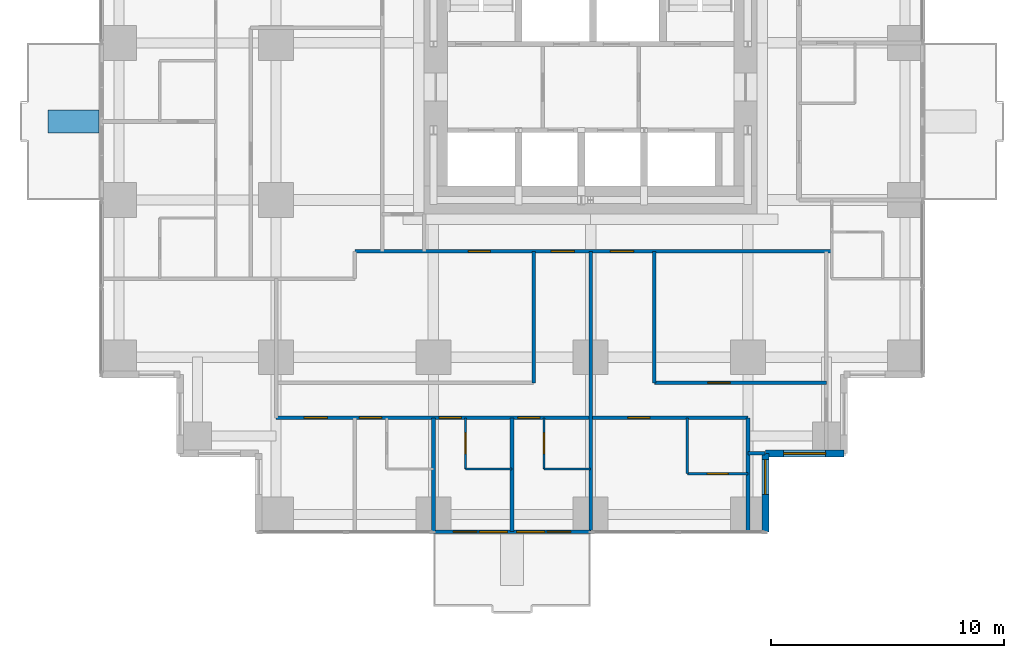
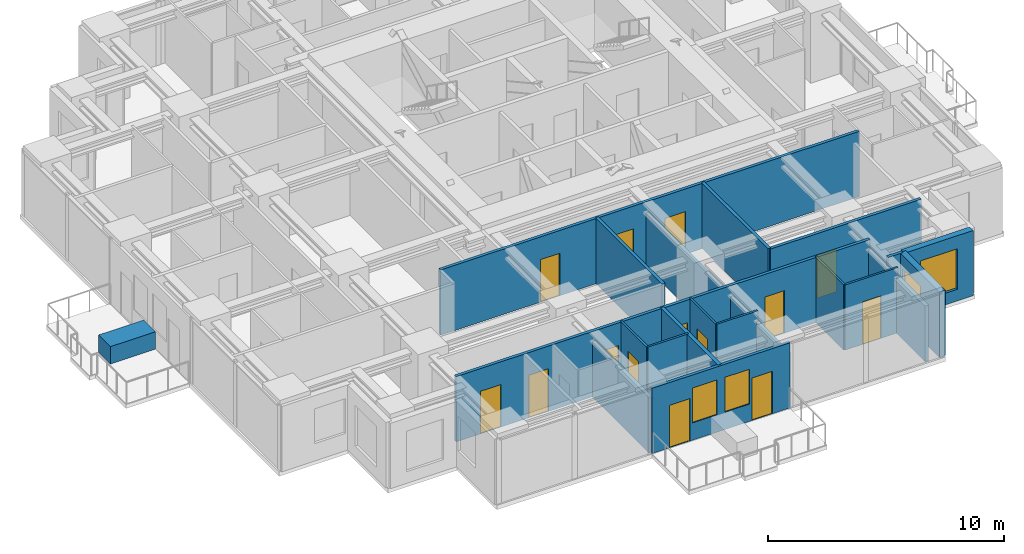
# One storey, part 5 of 10: 20 walls, 14 doors, 4 windows, 18 openings.
"""IFC4 building model written with IfcOpenShell, lengths in metres."""

import ifcopenshell
import ifcopenshell.guid

model = None  # the IFC model being written
_history = None  # IfcOwnerHistory: only IFC2X3 demands one
_inside = {}  # id of a spatial element -> (the spatial element, [elements in it])
_under = {}  # id of a project, library or spatial element -> (it, [spatial elements below it])
_declared = {}  # id of a project -> (the project, [libraries it declares])
_typed = {}  # id of a type object -> (the type object, [elements of that type])
_made_of = {}  # id of a material, layer set ... -> (it, [elements and type objects made of it])


def new_model(schema):
    """Start an empty IFC model of exactly this schema.

    Asked for "IFC4X3", IfcOpenShell would pick the latest addendum, in which some entities
    have other attributes; the version numbers below select the first issue.
    IFC2X3 requires an IfcOwnerHistory on every rooted entity: one is made here for all.
    """
    global model, _history
    if schema == "IFC4X3":
        model = ifcopenshell.file(schema_version=(4, 3, 0, 0))
    else:
        model = ifcopenshell.file(schema=schema)
    _inside.clear()
    _under.clear()
    _declared.clear()
    _typed.clear()
    _made_of.clear()
    _history = None
    if model.schema == "IFC2X3":
        org = make("IfcOrganization", Name="unknown")
        user = make(
            "IfcPersonAndOrganization",
            ThePerson=make("IfcPerson", FamilyName="unknown"),
            TheOrganization=org,
        )
        app = make(
            "IfcApplication",
            ApplicationDeveloper=org,
            Version="unknown",
            ApplicationFullName="unknown",
            ApplicationIdentifier="unknown",
        )
        _history = make(
            "IfcOwnerHistory",
            OwningUser=user,
            OwningApplication=app,
            ChangeAction="ADDED",
            CreationDate=0,
        )
    return model


def make(cls, **values):
    """One entity of the class cls with the attributes given. An attribute that is None is left unset."""
    return model.create_entity(
        cls, **{name: value for name, value in values.items() if value is not None}
    )


def rooted(cls, **values):
    """An entity with a GlobalId (a new one), such as an element, a storey or a relation."""
    return make(cls, GlobalId=ifcopenshell.guid.new(), OwnerHistory=_history, **values)


def si_unit(unit_type, name, prefix=None):
    """IfcSIUnit, for example si_unit("LENGTHUNIT", "METRE", prefix="MILLI")."""
    return make("IfcSIUnit", UnitType=unit_type, Prefix=prefix, Name=name)


def assignment(units):
    """IfcUnitAssignment: the units of a project."""
    return None if units is None else make("IfcUnitAssignment", Units=units)


def point(xyz):
    """IfcCartesianPoint."""
    return None if xyz is None else make("IfcCartesianPoint", Coordinates=xyz)


def direction(xyz):
    """IfcDirection."""
    return None if xyz is None else make("IfcDirection", DirectionRatios=xyz)


def frame(location, z_axis=None, x_axis=None):
    """IfcAxis2Placement3D, a coordinate frame: its origin and axes. An axis left out is left unset."""
    return make(
        "IfcAxis2Placement3D",
        Location=point(location),
        Axis=direction(z_axis),
        RefDirection=direction(x_axis),
    )


def frame_2d(location, x_axis=None):
    """IfcAxis2Placement2D, a coordinate frame in the plane: its origin and x axis."""
    return make(
        "IfcAxis2Placement2D", Location=point(location), RefDirection=direction(x_axis)
    )


def origin():
    """The frame at (0, 0, 0) with its axes left unset."""
    return frame((0.0, 0.0, 0.0))


def place(relative_to, where):
    """IfcLocalPlacement: puts the frame where relative to a parent placement (None: the world)."""
    return make(
        "IfcLocalPlacement", PlacementRelTo=relative_to, RelativePlacement=where
    )


def context(
    kind, dimensions, precision=None, world=None, true_north=None, identifier=None
):
    """IfcGeometricRepresentationContext, for example the 3D "Model" context."""
    return make(
        "IfcGeometricRepresentationContext",
        ContextIdentifier=identifier,
        ContextType=kind,
        CoordinateSpaceDimension=dimensions,
        Precision=precision,
        WorldCoordinateSystem=world,
        TrueNorth=true_north,
    )


def subcontext(parent, identifier, kind, view, scale=None):
    """IfcGeometricRepresentationSubContext, for example "Body" below "Model"."""
    return make(
        "IfcGeometricRepresentationSubContext",
        ContextIdentifier=identifier,
        ContextType=kind,
        ParentContext=parent,
        TargetScale=scale,
        TargetView=view,
    )


def project(units=None, contexts=None):
    """IfcProject with its units and contexts."""
    return rooted(
        "IfcProject",
        Name="project",
        RepresentationContexts=contexts,
        UnitsInContext=assignment(units),
    )


def spatial(cls, under=None, at=None, **own):
    """A site, building, storey or space (cls), placed at a placement, below another one or the project."""
    s = rooted(cls, ObjectPlacement=at, **own)
    if under is not None:
        _under.setdefault(under.id(), (under, []))[1].append(s)
    return s


def profile(cls, at=None, kind="AREA", **sizes):
    """A parametric profile (cls). Its sizes go by their IFC names, for example OverallWidth=200.0."""
    return make(cls, ProfileType=kind, Position=at, **sizes)


def rectangle(**sizes):
    """IfcRectangleProfileDef."""
    return profile("IfcRectangleProfileDef", **sizes)


def extrude(swept, where, along, depth):
    """IfcExtrudedAreaSolid: the profile swept, set in the frame where, extruded along a direction by depth."""
    return make(
        "IfcExtrudedAreaSolid",
        SweptArea=swept,
        Position=where,
        ExtrudedDirection=direction(along),
        Depth=depth,
    )


def shape(context_of_items, identifier, shape_type, items):
    """IfcShapeRepresentation: the items that make up one representation, for example the "Body"."""
    return make(
        "IfcShapeRepresentation",
        ContextOfItems=context_of_items,
        RepresentationIdentifier=identifier,
        RepresentationType=shape_type,
        Items=items,
    )


def material(Name=None, Category=None):
    """IfcMaterial."""
    return make("IfcMaterial", Name=Name, Category=Category)


def layer(
    of_material, thickness, ventilated=None, Name=None, Category=None, Priority=None
):
    """IfcMaterialLayer: one layer of a wall or slab, of a material (None: an air gap)."""
    return make(
        "IfcMaterialLayer",
        Material=of_material,
        LayerThickness=thickness,
        IsVentilated=ventilated,
        Name=Name,
        Category=Category,
        Priority=Priority,
    )


def layer_set(layers, Name=None):
    """IfcMaterialLayerSet."""
    return make("IfcMaterialLayerSet", MaterialLayers=layers, LayerSetName=Name)


def made_of(thing, what):
    """Note that an element or type object is made of a material, layer set ...; save() writes the relation."""
    if what is not None:
        _made_of.setdefault(what.id(), (what, []))[1].append(thing)
    return thing


def type_object(cls, material=None, **own):
    """A type object (cls), such as IfcWallType, which elements share."""
    return made_of(rooted(cls, **own), material)


def element(
    cls,
    number,
    at=None,
    inside=None,
    cuts=None,
    type_object=None,
    material=None,
    context=None,
    identifier="Body",
    shape_type=None,
    held_by="IfcProductDefinitionShape",
    body=None,
    shapes=None,
    **own,
):
    """One element of the class cls, such as IfcWall. Its Tag is "e" and its number.

    at: its placement. inside: the storey or other place that contains it. cuts: it is an
    opening in that element (IfcRelVoidsElement). A single representation is given by context,
    identifier, shape_type and body (its items); several are given by shapes. held_by: the class
    of the entity that holds the representations. save() writes the other relations.
    """
    e = rooted(cls, Tag="e%d" % number, ObjectPlacement=at, **own)
    if body is not None:
        shapes = [shape(context, identifier, shape_type, body)]
    if shapes is not None:
        e.Representation = make(held_by, Representations=shapes)
    if inside is not None:
        _inside.setdefault(inside.id(), (inside, []))[1].append(e)
    if cuts is not None:
        rooted(
            "IfcRelVoidsElement", RelatingBuildingElement=cuts, RelatedOpeningElement=e
        )
    if type_object is not None:
        _typed.setdefault(type_object.id(), (type_object, []))[1].append(e)
    return made_of(e, material)


def fill(opening, filler):
    """IfcRelFillsElement: the door or window that sits in an opening."""
    return rooted(
        "IfcRelFillsElement",
        RelatingOpeningElement=opening,
        RelatedBuildingElement=filler,
    )


def aggregate(whole, parts):
    """IfcRelAggregates: a whole, such as a stair, and the parts it consists of."""
    return rooted("IfcRelAggregates", RelatingObject=whole, RelatedObjects=parts)


def save(model, path):
    """Write the relations noted so far, then the file.

    IfcRelAggregates (storeys below a building ...), IfcRelContainedInSpatialStructure (elements
    in a storey), IfcRelDefinesByType, IfcRelAssociatesMaterial and IfcRelDeclares: one each for
    every whole, place, type object, material and project.
    """
    for whole, parts in _under.values():
        aggregate(whole, parts)
    for where, things in _inside.values():
        rooted(
            "IfcRelContainedInSpatialStructure",
            RelatedElements=things,
            RelatingStructure=where,
        )
    for kind, things in _typed.values():
        rooted("IfcRelDefinesByType", RelatedObjects=things, RelatingType=kind)
    for what, things in _made_of.values():
        rooted("IfcRelAssociatesMaterial", RelatedObjects=things, RelatingMaterial=what)
    for by, libraries in _declared.values():
        rooted("IfcRelDeclares", RelatingContext=by, RelatedDefinitions=libraries)
    model.write(path)


model = new_model("IFC4")

# Units and contexts
model_context = context("Model", 3, precision=1e-05, world=origin(), true_north=direction((0.0, 1.0)))
body_context = subcontext(model_context, "Body", "Model", "MODEL_VIEW")
ifc_project = project(units=[si_unit("LENGTHUNIT", "METRE"), si_unit("AREAUNIT", "SQUARE_METRE"), si_unit("VOLUMEUNIT", "CUBIC_METRE"), si_unit("PLANEANGLEUNIT", "RADIAN"), si_unit("MASSUNIT", "GRAM", prefix="KILO")], contexts=[model_context])

# Site, building, storey
site_placement = place(None, origin())
site = spatial("IfcSite", under=ifc_project, at=site_placement, CompositionType="ELEMENT")
building_placement = place(site_placement, origin())
building = spatial("IfcBuilding", under=site, at=building_placement, Name="Nyansa Garden Tower", CompositionType="ELEMENT")
storey_placement = place(building_placement, frame((0.0, 0.0, 149.39990234375)))
storey = spatial("IfcBuildingStorey", under=building, at=storey_placement, Name="L40", CompositionType="ELEMENT", Elevation=149.39990234375)

# Walls
ifc_material_1 = material(Name="Dense blockwork, plastered both sides, 55 dB", Category="masonry")
ifc_layer_1 = layer(ifc_material_1, 0.175048828125)
ifc_layer_set_1 = layer_set([ifc_layer_1], Name="Acoustic party wall PW175")
wall_type_1 = type_object("IfcWallType", Name="Acoustic party wall PW175", PredefinedType="PARTITIONING", material=ifc_layer_set_1)
wall_1_placement = place(storey_placement, frame((13.5, -0.73388671875, 0.0), z_axis=(0.0, 0.0, 1.0), x_axis=(0.0, 1.0, 0.0)))
element("IfcWall", 1, at=wall_1_placement, inside=storey, type_object=wall_type_1, Name="Party wall", PredefinedType="PARTITIONING", context=body_context, shape_type="SweptSolid", body=[
    extrude(rectangle(XDim=4.8837890625, YDim=0.175048828125, at=frame_2d((2.44189453125, 0.0))), origin(), (0.0, 0.0, 1.0), 2.877197265625),
])
wall_2_placement = place(storey_placement, frame((16.875, -0.73388671875, 0.0), z_axis=(0.0, 0.0, 1.0), x_axis=(0.0, 1.0, 0.0)))
element("IfcWall", 2, at=wall_2_placement, inside=storey, type_object=wall_type_1, Name="Party wall", PredefinedType="PARTITIONING", context=body_context, shape_type="SweptSolid", body=[
    extrude(rectangle(XDim=4.8837890625, YDim=0.175048828125, at=frame_2d((2.44189453125, 0.0))), origin(), (0.0, 0.0, 1.0), 3.375),
])
wall_3_placement = place(storey_placement, frame((27.0, -0.73388671875, 0.0), z_axis=(0.0, 0.0, 1.0), x_axis=(0.0, 1.0, 0.0)))
element("IfcWall", 3, at=wall_3_placement, inside=storey, type_object=wall_type_1, Name="Party wall", PredefinedType="PARTITIONING", context=body_context, shape_type="SweptSolid", body=[
    extrude(rectangle(XDim=4.8837890625, YDim=0.175048828125, at=frame_2d((2.44189453125, 0.0))), origin(), (0.0, 0.0, 1.0), 2.877197265625),
])

# Wall, openings, doors, windows
ifc_material_2 = material(Name="Black aluminium framed glazed screen", Category="aluminium")
ifc_layer_2 = layer(ifc_material_2, 0.14990234375)
ifc_layer_set_2 = layer_set([ifc_layer_2], Name="Balcony screen wall BW150")
wall_type_2 = type_object("IfcWallType", Name="Balcony screen wall BW150", PredefinedType="SOLIDWALL", material=ifc_layer_set_2)
wall_4_placement = place(storey_placement, frame((20.25, -0.75, 0.0), z_axis=(0.0, 0.0, 1.0), x_axis=(-1.0, 0.0, 0.0)))
wall_4 = element("IfcWall", 4, at=wall_4_placement, inside=storey, type_object=wall_type_2, Name="Glazed screen wall L40 S", PredefinedType="SOLIDWALL", context=body_context, shape_type="SweptSolid", body=[
    extrude(rectangle(XDim=6.75, YDim=0.14990234375, at=frame_2d((3.375, 0.0))), origin(), (0.0, 0.0, 1.0), 3.375),
])
opening_1_placement = place(wall_4_placement, frame((0.862548828125, 0.0, 0.0)))
opening_1 = element("IfcOpeningElement", 5, at=opening_1_placement, cuts=wall_4, Name="Opening D20", PredefinedType="OPENING", context=body_context, shape_type="SweptSolid", body=[
    extrude(rectangle(XDim=1.0, YDim=2.199951171875, at=frame_2d((0.5, 1.10009765625))), frame((0.0, 0.0849609375, 0.0), z_axis=(0.0, -1.0, 0.0), x_axis=(1.0, 0.0, 0.0)), (0.0, 0.0, 1.0), 0.169921875),
])
opening_2_placement = place(wall_4_placement, frame((1.97509765625, 0.0, 0.89990234375)))
opening_2 = element("IfcOpeningElement", 6, at=opening_2_placement, cuts=wall_4, Name="Opening W6", PredefinedType="OPENING", context=body_context, shape_type="SweptSolid", body=[
    extrude(rectangle(XDim=1.199951171875, YDim=1.800048828125, at=frame_2d((0.60009765625, 0.89990234375))), frame((0.0, 0.0849609375, 0.0), z_axis=(0.0, -1.0, 0.0), x_axis=(1.0, 0.0, 0.0)), (0.0, 0.0, 1.0), 0.169921875),
])
opening_3_placement = place(wall_4_placement, frame((4.887451171875, 0.0, 0.0)))
opening_3 = element("IfcOpeningElement", 7, at=opening_3_placement, cuts=wall_4, Name="Opening D20", PredefinedType="OPENING", context=body_context, shape_type="SweptSolid", body=[
    extrude(rectangle(XDim=1.0, YDim=2.199951171875, at=frame_2d((0.5, 1.10009765625))), frame((0.0, 0.0849609375, 0.0), z_axis=(0.0, -1.0, 0.0), x_axis=(1.0, 0.0, 0.0)), (0.0, 0.0, 1.0), 0.169921875),
])
opening_4_placement = place(wall_4_placement, frame((3.574951171875, 0.0, 0.89990234375)))
opening_4 = element("IfcOpeningElement", 8, at=opening_4_placement, cuts=wall_4, Name="Opening W6", PredefinedType="OPENING", context=body_context, shape_type="SweptSolid", body=[
    extrude(rectangle(XDim=1.199951171875, YDim=1.800048828125, at=frame_2d((0.60009765625, 0.89990234375))), frame((0.0, 0.0849609375, 0.0), z_axis=(0.0, -1.0, 0.0), x_axis=(1.0, 0.0, 0.0)), (0.0, 0.0, 1.0), 0.169921875),
])
ifc_material_3 = material(Name="Black aluminium framed glazed door", Category="aluminium")
door_type_1 = type_object("IfcDoorType", Name="Balcony door D20 1000x2200", OperationType="NOTDEFINED", PredefinedType="DOOR", material=ifc_material_3)
door_1_placement = place(opening_1_placement, origin())
door_1 = element("IfcDoor", 9, at=door_1_placement, inside=storey, type_object=door_type_1, Name="Balcony door L40", OperationType="SINGLE_SWING_LEFT", OverallHeight=2.199951171875, OverallWidth=1.0, PredefinedType="DOOR", context=body_context, shape_type="SweptSolid", body=[
    extrude(rectangle(XDim=1.0, YDim=2.199951171875, at=frame_2d((0.5, 1.10009765625))), frame((0.0, 0.02490234375, 0.0), z_axis=(0.0, -1.0, 0.0), x_axis=(1.0, 0.0, 0.0)), (0.0, 0.0, 1.0), 0.050048828125),
])
fill(opening_1, door_1)
door_2_placement = place(opening_3_placement, origin())
door_2 = element("IfcDoor", 10, at=door_2_placement, inside=storey, type_object=door_type_1, Name="Balcony door L40", OperationType="SINGLE_SWING_RIGHT", OverallHeight=2.199951171875, OverallWidth=1.0, PredefinedType="DOOR", context=body_context, shape_type="SweptSolid", body=[
    extrude(rectangle(XDim=1.0, YDim=2.199951171875, at=frame_2d((0.5, 1.10009765625))), frame((0.0, 0.02490234375, 0.0), z_axis=(0.0, -1.0, 0.0), x_axis=(1.0, 0.0, 0.0)), (0.0, 0.0, 1.0), 0.050048828125),
])
fill(opening_3, door_2)
ifc_material_4 = material(Name="Black aluminium frame, dark tinted double glazing", Category="aluminium")
window_type_1 = type_object("IfcWindowType", Name="Balcony window W6 1200x1800", PartitioningType="SINGLE_PANEL", PredefinedType="WINDOW", material=ifc_material_4)
window_1_placement = place(opening_2_placement, origin())
window_1 = element("IfcWindow", 11, at=window_1_placement, inside=storey, type_object=window_type_1, Name="Window L40", OverallHeight=1.800048828125, OverallWidth=1.199951171875, PartitioningType="SINGLE_PANEL", PredefinedType="WINDOW", context=body_context, shape_type="SweptSolid", body=[
    extrude(rectangle(XDim=1.199951171875, YDim=1.800048828125, at=frame_2d((0.60009765625, 0.89990234375))), frame((0.0, 0.030029296875, 0.0), z_axis=(0.0, -1.0, 0.0), x_axis=(1.0, 0.0, 0.0)), (0.0, 0.0, 1.0), 0.06005859375),
])
fill(opening_2, window_1)
window_2_placement = place(opening_4_placement, origin())
window_2 = element("IfcWindow", 12, at=window_2_placement, inside=storey, type_object=window_type_1, Name="Window L40", OverallHeight=1.800048828125, OverallWidth=1.199951171875, PartitioningType="SINGLE_PANEL", PredefinedType="WINDOW", context=body_context, shape_type="SweptSolid", body=[
    extrude(rectangle(XDim=1.199951171875, YDim=1.800048828125, at=frame_2d((0.60009765625, 0.89990234375))), frame((0.0, 0.030029296875, 0.0), z_axis=(0.0, -1.0, 0.0), x_axis=(1.0, 0.0, 0.0)), (0.0, 0.0, 1.0), 0.06005859375),
])
fill(opening_4, window_2)

# Wall, openings, doors
ifc_material_5 = material(Name="Blockwork, plastered both sides", Category="masonry")
ifc_layer_3 = layer(ifc_material_5, 0.14990234375)
ifc_layer_set_3 = layer_set([ifc_layer_3], Name="Partition PW150")
wall_type_3 = type_object("IfcWallType", Name="Partition PW150", PredefinedType="PARTITIONING", material=ifc_layer_set_3)
wall_5_placement = place(storey_placement, frame((6.75, 4.14990234375, 0.0), z_axis=(0.0, 0.0, 1.0), x_axis=(1.0, 0.0, 0.0)))
wall_5 = element("IfcWall", 13, at=wall_5_placement, inside=storey, type_object=wall_type_3, Name="Partition", PredefinedType="PARTITIONING", context=body_context, shape_type="SweptSolid", body=[
    extrude(rectangle(XDim=20.25, YDim=0.14990234375, at=frame_2d((10.125, 0.0))), origin(), (0.0, 0.0, 1.0), 3.375),
])
opening_5_placement = place(wall_5_placement, frame((1.199951171875, 0.0, 0.0)))
opening_5 = element("IfcOpeningElement", 14, at=opening_5_placement, cuts=wall_5, Name="Opening D03", PredefinedType="OPENING", context=body_context, shape_type="SweptSolid", body=[
    extrude(rectangle(XDim=1.0, YDim=2.199951171875, at=frame_2d((0.5, 1.10009765625))), frame((0.0, 0.0849609375, 0.0), z_axis=(0.0, -1.0, 0.0), x_axis=(1.0, 0.0, 0.0)), (0.0, 0.0, 1.0), 0.169921875),
])
opening_6_placement = place(wall_5_placement, frame((3.574951171875, 0.0, 0.0)))
opening_6 = element("IfcOpeningElement", 15, at=opening_6_placement, cuts=wall_5, Name="Opening D01", PredefinedType="OPENING", context=body_context, shape_type="SweptSolid", body=[
    extrude(rectangle(XDim=0.949951171875, YDim=2.199951171875, at=frame_2d((0.47509765625, 1.10009765625))), frame((0.0, 0.0849609375, 0.0), z_axis=(0.0, -1.0, 0.0), x_axis=(1.0, 0.0, 0.0)), (0.0, 0.0, 1.0), 0.169921875),
])
opening_7_placement = place(wall_5_placement, frame((7.0, 0.0, 0.0)))
opening_7 = element("IfcOpeningElement", 16, at=opening_7_placement, cuts=wall_5, Name="Opening D01", PredefinedType="OPENING", context=body_context, shape_type="SweptSolid", body=[
    extrude(rectangle(XDim=0.949951171875, YDim=2.199951171875, at=frame_2d((0.47509765625, 1.10009765625))), frame((0.0, 0.0849609375, 0.0), z_axis=(0.0, -1.0, 0.0), x_axis=(1.0, 0.0, 0.0)), (0.0, 0.0, 1.0), 0.169921875),
])
opening_8_placement = place(wall_5_placement, frame((10.375, 0.0, 0.0)))
opening_8 = element("IfcOpeningElement", 17, at=opening_8_placement, cuts=wall_5, Name="Opening D01", PredefinedType="OPENING", context=body_context, shape_type="SweptSolid", body=[
    extrude(rectangle(XDim=0.949951171875, YDim=2.199951171875, at=frame_2d((0.47509765625, 1.10009765625))), frame((0.0, 0.0849609375, 0.0), z_axis=(0.0, -1.0, 0.0), x_axis=(1.0, 0.0, 0.0)), (0.0, 0.0, 1.0), 0.169921875),
])
opening_9_placement = place(wall_5_placement, frame((15.10009765625, 0.0, 0.0)))
opening_9 = element("IfcOpeningElement", 18, at=opening_9_placement, cuts=wall_5, Name="Opening D14", PredefinedType="OPENING", context=body_context, shape_type="SweptSolid", body=[
    extrude(rectangle(XDim=0.949951171875, YDim=2.199951171875, at=frame_2d((0.47509765625, 1.10009765625))), frame((0.0, 0.0849609375, 0.0), z_axis=(0.0, -1.0, 0.0), x_axis=(1.0, 0.0, 0.0)), (0.0, 0.0, 1.0), 0.169921875),
])
ifc_material_6 = material(Name="Timber flush door, 30 minute fire resisting", Category="wood")
door_type_2 = type_object("IfcDoorType", Name="Bedroom door D01 950x2200", OperationType="SINGLE_SWING_LEFT", PredefinedType="DOOR", material=ifc_material_6)
door_3_placement = place(opening_6_placement, origin())
door_3 = element("IfcDoor", 19, at=door_3_placement, inside=storey, type_object=door_type_2, Name="Door L40-019", OperationType="SINGLE_SWING_LEFT", OverallHeight=2.199951171875, OverallWidth=0.949951171875, PredefinedType="DOOR", context=body_context, shape_type="SweptSolid", body=[
    extrude(rectangle(XDim=0.949951171875, YDim=2.199951171875, at=frame_2d((0.47509765625, 1.10009765625))), frame((0.0, 0.02490234375, 0.0), z_axis=(0.0, -1.0, 0.0), x_axis=(1.0, 0.0, 0.0)), (0.0, 0.0, 1.0), 0.050048828125),
])
fill(opening_6, door_3)
door_4_placement = place(opening_7_placement, origin())
door_4 = element("IfcDoor", 20, at=door_4_placement, inside=storey, type_object=door_type_2, Name="Door L40-021", OperationType="SINGLE_SWING_LEFT", OverallHeight=2.199951171875, OverallWidth=0.949951171875, PredefinedType="DOOR", context=body_context, shape_type="SweptSolid", body=[
    extrude(rectangle(XDim=0.949951171875, YDim=2.199951171875, at=frame_2d((0.47509765625, 1.10009765625))), frame((0.0, 0.02490234375, 0.0), z_axis=(0.0, -1.0, 0.0), x_axis=(1.0, 0.0, 0.0)), (0.0, 0.0, 1.0), 0.050048828125),
])
fill(opening_7, door_4)
door_5_placement = place(opening_8_placement, origin())
door_5 = element("IfcDoor", 21, at=door_5_placement, inside=storey, type_object=door_type_2, Name="Door L40-023", OperationType="SINGLE_SWING_LEFT", OverallHeight=2.199951171875, OverallWidth=0.949951171875, PredefinedType="DOOR", context=body_context, shape_type="SweptSolid", body=[
    extrude(rectangle(XDim=0.949951171875, YDim=2.199951171875, at=frame_2d((0.47509765625, 1.10009765625))), frame((0.0, 0.02490234375, 0.0), z_axis=(0.0, -1.0, 0.0), x_axis=(1.0, 0.0, 0.0)), (0.0, 0.0, 1.0), 0.050048828125),
])
fill(opening_8, door_5)
ifc_material_7 = material(Name="Timber flush door, 60 minute fire resisting", Category="wood")
door_type_3 = type_object("IfcDoorType", Name="Cluster entrance door D03 1000x2200", OperationType="SINGLE_SWING_LEFT", PredefinedType="DOOR", material=ifc_material_7)
door_6_placement = place(opening_5_placement, origin())
door_6 = element("IfcDoor", 22, at=door_6_placement, inside=storey, type_object=door_type_3, Name="Door L40-018", OperationType="SINGLE_SWING_LEFT", OverallHeight=2.199951171875, OverallWidth=1.0, PredefinedType="DOOR", context=body_context, shape_type="SweptSolid", body=[
    extrude(rectangle(XDim=1.0, YDim=2.199951171875, at=frame_2d((0.5, 1.10009765625))), frame((0.0, 0.02490234375, 0.0), z_axis=(0.0, -1.0, 0.0), x_axis=(1.0, 0.0, 0.0)), (0.0, 0.0, 1.0), 0.050048828125),
])
fill(opening_5, door_6)
ifc_material_8 = material(Name="Timber flush door, 60 minute fire resisting, self-closing", Category="wood")
door_type_4 = type_object("IfcDoorType", Name="Studio entrance door D14 950x2200", OperationType="SINGLE_SWING_LEFT", PredefinedType="DOOR", material=ifc_material_8)
door_7_placement = place(opening_9_placement, origin())
door_7 = element("IfcDoor", 23, at=door_7_placement, inside=storey, type_object=door_type_4, Name="Door L40-026", OperationType="SINGLE_SWING_LEFT", OverallHeight=2.199951171875, OverallWidth=0.949951171875, PredefinedType="DOOR", context=body_context, shape_type="SweptSolid", body=[
    extrude(rectangle(XDim=0.949951171875, YDim=2.199951171875, at=frame_2d((0.47509765625, 1.10009765625))), frame((0.0, 0.02490234375, 0.0), z_axis=(0.0, -1.0, 0.0), x_axis=(1.0, 0.0, 0.0)), (0.0, 0.0, 1.0), 0.050048828125),
])
fill(opening_9, door_7)

wall_6_placement = place(storey_placement, frame((10.125, 11.300048828125, 0.0), z_axis=(0.0, 0.0, 1.0), x_axis=(1.0, 0.0, 0.0)))
wall_6 = element("IfcWall", 24, at=wall_6_placement, inside=storey, type_object=wall_type_3, Name="Partition", PredefinedType="PARTITIONING", context=body_context, shape_type="SweptSolid", body=[
    extrude(rectangle(XDim=20.47509765625, YDim=0.14990234375, at=frame_2d((10.237548828125, 0.0))), origin(), (0.0, 0.0, 1.0), 3.375),
])
opening_10_placement = place(wall_6_placement, frame((8.425048828125, 0.0, 0.0)))
opening_10 = element("IfcOpeningElement", 25, at=opening_10_placement, cuts=wall_6, Name="Opening D03", PredefinedType="OPENING", context=body_context, shape_type="SweptSolid", body=[
    extrude(rectangle(XDim=1.0, YDim=2.199951171875, at=frame_2d((0.5, 1.10009765625))), frame((0.0, 0.0849609375, 0.0), z_axis=(0.0, -1.0, 0.0), x_axis=(1.0, 0.0, 0.0)), (0.0, 0.0, 1.0), 0.169921875),
])
opening_11_placement = place(wall_6_placement, frame((10.97509765625, 0.0, 0.0)))
opening_11 = element("IfcOpeningElement", 26, at=opening_11_placement, cuts=wall_6, Name="Opening D03", PredefinedType="OPENING", context=body_context, shape_type="SweptSolid", body=[
    extrude(rectangle(XDim=1.0, YDim=2.199951171875, at=frame_2d((0.5, 1.10009765625))), frame((0.0, 0.0849609375, 0.0), z_axis=(0.0, -1.0, 0.0), x_axis=(1.0, 0.0, 0.0)), (0.0, 0.0, 1.0), 0.169921875),
])
opening_12_placement = place(wall_6_placement, frame((4.875, 0.0, 0.0)))
opening_12 = element("IfcOpeningElement", 27, at=opening_12_placement, cuts=wall_6, Name="Opening D01", PredefinedType="OPENING", context=body_context, shape_type="SweptSolid", body=[
    extrude(rectangle(XDim=0.949951171875, YDim=2.199951171875, at=frame_2d((0.47509765625, 1.10009765625))), frame((0.0, 0.0849609375, 0.0), z_axis=(0.0, -1.0, 0.0), x_axis=(1.0, 0.0, 0.0)), (0.0, 0.0, 1.0), 0.169921875),
])
door_8_placement = place(opening_12_placement, origin())
door_8 = element("IfcDoor", 28, at=door_8_placement, inside=storey, type_object=door_type_2, Name="Door L40-029", OperationType="SINGLE_SWING_LEFT", OverallHeight=2.199951171875, OverallWidth=0.949951171875, PredefinedType="DOOR", context=body_context, shape_type="SweptSolid", body=[
    extrude(rectangle(XDim=0.949951171875, YDim=2.199951171875, at=frame_2d((0.47509765625, 1.10009765625))), frame((0.0, 0.02490234375, 0.0), z_axis=(0.0, -1.0, 0.0), x_axis=(1.0, 0.0, 0.0)), (0.0, 0.0, 1.0), 0.050048828125),
])
fill(opening_12, door_8)
door_9_placement = place(opening_10_placement, origin())
door_9 = element("IfcDoor", 29, at=door_9_placement, inside=storey, type_object=door_type_3, Name="Door L40-025", OperationType="SINGLE_SWING_LEFT", OverallHeight=2.199951171875, OverallWidth=1.0, PredefinedType="DOOR", context=body_context, shape_type="SweptSolid", body=[
    extrude(rectangle(XDim=1.0, YDim=2.199951171875, at=frame_2d((0.5, 1.10009765625))), frame((0.0, 0.02490234375, 0.0), z_axis=(0.0, -1.0, 0.0), x_axis=(1.0, 0.0, 0.0)), (0.0, 0.0, 1.0), 0.050048828125),
])
fill(opening_10, door_9)
door_10_placement = place(opening_11_placement, origin())
door_10 = element("IfcDoor", 30, at=door_10_placement, inside=storey, type_object=door_type_3, Name="Door L40-028", OperationType="SINGLE_SWING_LEFT", OverallHeight=2.199951171875, OverallWidth=1.0, PredefinedType="DOOR", context=body_context, shape_type="SweptSolid", body=[
    extrude(rectangle(XDim=1.0, YDim=2.199951171875, at=frame_2d((0.5, 1.10009765625))), frame((0.0, 0.02490234375, 0.0), z_axis=(0.0, -1.0, 0.0), x_axis=(1.0, 0.0, 0.0)), (0.0, 0.0, 1.0), 0.050048828125),
])
fill(opening_11, door_10)

# Walls
wall_7_placement = place(storey_placement, frame((17.800048828125, 5.64990234375, 0.0), z_axis=(0.0, 0.0, 1.0), x_axis=(0.0, 1.0, 0.0)))
element("IfcWall", 31, at=wall_7_placement, inside=storey, type_object=wall_type_3, Name="Partition", PredefinedType="PARTITIONING", context=body_context, shape_type="SweptSolid", body=[
    extrude(rectangle(XDim=5.650146484375, YDim=0.14990234375, at=frame_2d((2.8251953125, 0.0))), origin(), (0.0, 0.0, 1.0), 3.375),
])
wall_8_placement = place(storey_placement, frame((20.25, -0.73388671875, 0.0), z_axis=(0.0, 0.0, 1.0), x_axis=(0.0, 1.0, 0.0)))
element("IfcWall", 32, at=wall_8_placement, inside=storey, type_object=wall_type_3, Name="Partition", PredefinedType="PARTITIONING", context=body_context, shape_type="SweptSolid", body=[
    extrude(rectangle(XDim=12.033935546875, YDim=0.14990234375, at=frame_2d((6.01708984375, 0.0))), origin(), (0.0, 0.0, 1.0), 2.80615234375),
])

# Wall, opening, door
wall_9_placement = place(storey_placement, frame((22.987548828125, 5.64990234375, 0.0), z_axis=(0.0, 0.0, 1.0), x_axis=(1.0, 0.0, 0.0)))
wall_9 = element("IfcWall", 33, at=wall_9_placement, inside=storey, type_object=wall_type_3, Name="Partition", PredefinedType="PARTITIONING", context=body_context, shape_type="SweptSolid", body=[
    extrude(rectangle(XDim=7.387451171875, YDim=0.14990234375, at=frame_2d((3.69384765625, 0.0))), origin(), (0.0, 0.0, 1.0), 3.375),
])
opening_13_placement = place(wall_9_placement, frame((2.300048828125, 0.0, 0.0)))
opening_13 = element("IfcOpeningElement", 34, at=opening_13_placement, cuts=wall_9, Name="Opening D01", PredefinedType="OPENING", context=body_context, shape_type="SweptSolid", body=[
    extrude(rectangle(XDim=0.949951171875, YDim=2.199951171875, at=frame_2d((0.47509765625, 1.10009765625))), frame((0.0, 0.0849609375, 0.0), z_axis=(0.0, -1.0, 0.0), x_axis=(1.0, 0.0, 0.0)), (0.0, 0.0, 1.0), 0.169921875),
])
door_11_placement = place(opening_13_placement, origin())
door_11 = element("IfcDoor", 35, at=door_11_placement, inside=storey, type_object=door_type_2, Name="Door L40-030", OperationType="SINGLE_SWING_LEFT", OverallHeight=2.199951171875, OverallWidth=0.949951171875, PredefinedType="DOOR", context=body_context, shape_type="SweptSolid", body=[
    extrude(rectangle(XDim=0.949951171875, YDim=2.199951171875, at=frame_2d((0.47509765625, 1.10009765625))), frame((0.0, 0.02490234375, 0.0), z_axis=(0.0, -1.0, 0.0), x_axis=(1.0, 0.0, 0.0)), (0.0, 0.0, 1.0), 0.050048828125),
])
fill(opening_13, door_11)

# Walls
wall_10_placement = place(storey_placement, frame((22.988037109375, 5.64990234375, 0.0), z_axis=(0.0, 0.0, 1.0), x_axis=(0.0, 1.0, 0.0)))
element("IfcWall", 36, at=wall_10_placement, inside=storey, type_object=wall_type_3, Name="Partition", PredefinedType="PARTITIONING", context=body_context, shape_type="SweptSolid", body=[
    extrude(rectangle(XDim=5.650146484375, YDim=0.14990234375, at=frame_2d((2.8251953125, 0.0))), origin(), (0.0, 0.0, 1.0), 3.375),
])
wall_11_placement = place(storey_placement, frame((27.0, 2.625, 0.0), z_axis=(0.0, 0.0, 1.0), x_axis=(1.0, 0.0, 0.0)))
element("IfcWall", 37, at=wall_11_placement, inside=storey, type_object=wall_type_3, Name="Partition", PredefinedType="PARTITIONING", context=body_context, shape_type="SweptSolid", body=[
    extrude(rectangle(XDim=0.73388671875, YDim=0.14990234375, at=frame_2d((0.366943359375, 0.0))), origin(), (0.0, 0.0, 1.0), 3.375),
])

# Wall, opening, window
ifc_material_9 = material(Name="Turquoise glazed tile on concrete blockwork", Category="masonry")
ifc_layer_4 = layer(ifc_material_9, 0.300048828125)
ifc_layer_set_4 = layer_set([ifc_layer_4], Name="Tiled corner wall TW300")
wall_type_4 = type_object("IfcWallType", Name="Tiled corner wall TW300", PredefinedType="SOLIDWALL", material=ifc_layer_set_4)
wall_12_placement = place(storey_placement, frame((27.75, -0.75, 0.0), z_axis=(0.0, 0.0, 1.0), x_axis=(0.0, 1.0, 0.0)))
wall_12 = element("IfcWall", 38, at=wall_12_placement, inside=storey, type_object=wall_type_4, Name="Tiled corner wall L40", PredefinedType="SOLIDWALL", context=body_context, shape_type="SweptSolid", body=[
    extrude(rectangle(XDim=3.375, YDim=0.300048828125, at=frame_2d((1.6875, 0.0))), origin(), (0.0, 0.0, 1.0), 3.375),
])
opening_14_placement = place(wall_12_placement, frame((1.607421875, 0.0, 0.89990234375)))
opening_14 = element("IfcOpeningElement", 39, at=opening_14_placement, cuts=wall_12, Name="Opening W1", PredefinedType="OPENING", context=body_context, shape_type="SweptSolid", body=[
    extrude(rectangle(XDim=1.5, YDim=1.800048828125, at=frame_2d((0.75, 0.89990234375))), frame((0.0, 0.159912109375, 0.0), z_axis=(0.0, -1.0, 0.0), x_axis=(1.0, 0.0, 0.0)), (0.0, 0.0, 1.0), 0.320068359375),
])
ifc_material_10 = material(Name="Black aluminium frame, dark tinted double glazing", Category="aluminium")
window_type_2 = type_object("IfcWindowType", Name="Window W1 1500x1800", PartitioningType="SINGLE_PANEL", PredefinedType="WINDOW", material=ifc_material_10)
window_3_placement = place(opening_14_placement, origin())
window_3 = element("IfcWindow", 40, at=window_3_placement, inside=storey, type_object=window_type_2, Name="Corner window L40", OverallHeight=1.800048828125, OverallWidth=1.5, PartitioningType="SINGLE_PANEL", PredefinedType="WINDOW", context=body_context, shape_type="SweptSolid", body=[
    extrude(rectangle(XDim=1.5, YDim=1.800048828125, at=frame_2d((0.75, 0.89990234375))), frame((0.0, 0.030029296875, 0.0), z_axis=(0.0, -1.0, 0.0), x_axis=(1.0, 0.0, 0.0)), (0.0, 0.0, 1.0), 0.06005859375),
])
fill(opening_14, window_3)

wall_13_placement = place(storey_placement, frame((27.75, 2.625, 0.0), z_axis=(0.0, 0.0, 1.0), x_axis=(1.0, 0.0, 0.0)))
wall_13 = element("IfcWall", 41, at=wall_13_placement, inside=storey, type_object=wall_type_4, Name="Tiled corner wall L40", PredefinedType="SOLIDWALL", context=body_context, shape_type="SweptSolid", body=[
    extrude(rectangle(XDim=3.375, YDim=0.300048828125, at=frame_2d((1.6875, 0.0))), origin(), (0.0, 0.0, 1.0), 3.375),
])
opening_15_placement = place(wall_13_placement, frame((0.78759765625, 0.0, 0.60009765625)))
opening_15 = element("IfcOpeningElement", 42, at=opening_15_placement, cuts=wall_13, Name="Opening W2", PredefinedType="OPENING", context=body_context, shape_type="SweptSolid", body=[
    extrude(rectangle(XDim=1.800048828125, YDim=2.10009765625, at=frame_2d((0.89990234375, 1.050048828125))), frame((0.0, 0.159912109375, 0.0), z_axis=(0.0, -1.0, 0.0), x_axis=(1.0, 0.0, 0.0)), (0.0, 0.0, 1.0), 0.320068359375),
])
ifc_material_11 = material(Name="Black aluminium frame, dark tinted double glazing", Category="aluminium")
window_type_3 = type_object("IfcWindowType", Name="Window W2 1800x2100", PartitioningType="SINGLE_PANEL", PredefinedType="WINDOW", material=ifc_material_11)
window_4_placement = place(opening_15_placement, origin())
window_4 = element("IfcWindow", 43, at=window_4_placement, inside=storey, type_object=window_type_3, Name="Corner window L40", OverallHeight=2.10009765625, OverallWidth=1.800048828125, PartitioningType="SINGLE_PANEL", PredefinedType="WINDOW", context=body_context, shape_type="SweptSolid", body=[
    extrude(rectangle(XDim=1.800048828125, YDim=2.10009765625, at=frame_2d((0.89990234375, 1.050048828125))), frame((0.0, 0.030029296875, 0.0), z_axis=(0.0, -1.0, 0.0), x_axis=(1.0, 0.0, 0.0)), (0.0, 0.0, 1.0), 0.06005859375),
])
fill(opening_15, window_4)

# Wall
ifc_material_12 = material(Name="Concrete C40/50 planter, waterproofed", Category="concrete")
ifc_layer_5 = layer(ifc_material_12, 1.0)
ifc_layer_set_5 = layer_set([ifc_layer_5], Name="Tree planter TP1")
wall_type_5 = type_object("IfcWallType", Name="Tree planter TP1", PredefinedType="USERDEFINED", material=ifc_layer_set_5)
wall_14_placement = place(storey_placement, frame((-0.85009765625, 16.875, 0.0), z_axis=(0.0, 0.0, 1.0), x_axis=(-1.0, 0.0, 0.0)))
element("IfcWall", 44, at=wall_14_placement, inside=storey, type_object=wall_type_5, Name="Tree planter L40", ObjectType="TREE PLANTER", PredefinedType="USERDEFINED", context=body_context, shape_type="SweptSolid", body=[
    extrude(rectangle(XDim=2.199951171875, YDim=1.0, at=frame_2d((1.10009765625, 0.0))), origin(), (0.0, 0.0, 1.0), 0.900146484375),
])

# Wall, opening, door
ifc_material_13 = material(Name="Moisture resistant board on steel studs, tiled", Category="steel")
ifc_layer_6 = layer(ifc_material_13, 0.10009765625)
ifc_layer_set_6 = layer_set([ifc_layer_6], Name="Wet wall PW100")
wall_type_6 = type_object("IfcWallType", Name="Wet wall PW100", PredefinedType="PARTITIONING", material=ifc_layer_set_6)
wall_15_placement = place(storey_placement, frame((14.875, 1.949951171875, 0.0), z_axis=(0.0, 0.0, 1.0), x_axis=(0.0, 1.0, 0.0)))
wall_15 = element("IfcWall", 45, at=wall_15_placement, inside=storey, type_object=wall_type_6, Name="Wet wall", PredefinedType="PARTITIONING", context=body_context, shape_type="SweptSolid", body=[
    extrude(rectangle(XDim=2.199951171875, YDim=0.10009765625, at=frame_2d((1.10009765625, 0.0))), origin(), (0.0, 0.0, 1.0), 3.375),
])
opening_16_placement = place(wall_15_placement, frame((0.64990234375, 0.0, 0.0)))
opening_16 = element("IfcOpeningElement", 46, at=opening_16_placement, cuts=wall_15, Name="Opening D02", PredefinedType="OPENING", context=body_context, shape_type="SweptSolid", body=[
    extrude(rectangle(XDim=0.89990234375, YDim=2.199951171875, at=frame_2d((0.449951171875, 1.10009765625))), frame((0.0, 0.06005859375, 0.0), z_axis=(0.0, -1.0, 0.0), x_axis=(1.0, 0.0, 0.0)), (0.0, 0.0, 1.0), 0.1201171875),
])
ifc_material_14 = material(Name="Timber flush door", Category="wood")
door_type_5 = type_object("IfcDoorType", Name="En-suite door D02 900x2200", OperationType="SINGLE_SWING_RIGHT", PredefinedType="DOOR", material=ifc_material_14)
door_12_placement = place(opening_16_placement, origin())
door_12 = element("IfcDoor", 47, at=door_12_placement, inside=storey, type_object=door_type_5, Name="Door L40-022", OperationType="SINGLE_SWING_RIGHT", OverallHeight=2.199951171875, OverallWidth=0.89990234375, PredefinedType="DOOR", context=body_context, shape_type="SweptSolid", body=[
    extrude(rectangle(XDim=0.89990234375, YDim=2.199951171875, at=frame_2d((0.449951171875, 1.10009765625))), frame((0.0, 0.02490234375, 0.0), z_axis=(0.0, -1.0, 0.0), x_axis=(1.0, 0.0, 0.0)), (0.0, 0.0, 1.0), 0.050048828125),
])
fill(opening_16, door_12)

# Wall
wall_16_placement = place(storey_placement, frame((14.875, 1.949951171875, 0.0), z_axis=(0.0, 0.0, 1.0), x_axis=(1.0, 0.0, 0.0)))
element("IfcWall", 48, at=wall_16_placement, inside=storey, type_object=wall_type_6, Name="Wet wall", PredefinedType="PARTITIONING", context=body_context, shape_type="SweptSolid", body=[
    extrude(rectangle(XDim=2.0, YDim=0.10009765625, at=frame_2d((1.0, 0.0))), origin(), (0.0, 0.0, 1.0), 3.375),
])

# Wall, opening, door
wall_17_placement = place(storey_placement, frame((18.25, 1.949951171875, 0.0), z_axis=(0.0, 0.0, 1.0), x_axis=(0.0, 1.0, 0.0)))
wall_17 = element("IfcWall", 49, at=wall_17_placement, inside=storey, type_object=wall_type_6, Name="Wet wall", PredefinedType="PARTITIONING", context=body_context, shape_type="SweptSolid", body=[
    extrude(rectangle(XDim=2.199951171875, YDim=0.10009765625, at=frame_2d((1.10009765625, 0.0))), origin(), (0.0, 0.0, 1.0), 3.375),
])
opening_17_placement = place(wall_17_placement, frame((0.64990234375, 0.0, 0.0)))
opening_17 = element("IfcOpeningElement", 50, at=opening_17_placement, cuts=wall_17, Name="Opening D02", PredefinedType="OPENING", context=body_context, shape_type="SweptSolid", body=[
    extrude(rectangle(XDim=0.89990234375, YDim=2.199951171875, at=frame_2d((0.449951171875, 1.10009765625))), frame((0.0, 0.06005859375, 0.0), z_axis=(0.0, -1.0, 0.0), x_axis=(1.0, 0.0, 0.0)), (0.0, 0.0, 1.0), 0.1201171875),
])
door_13_placement = place(opening_17_placement, origin())
door_13 = element("IfcDoor", 51, at=door_13_placement, inside=storey, type_object=door_type_5, Name="Door L40-024", OperationType="SINGLE_SWING_RIGHT", OverallHeight=2.199951171875, OverallWidth=0.89990234375, PredefinedType="DOOR", context=body_context, shape_type="SweptSolid", body=[
    extrude(rectangle(XDim=0.89990234375, YDim=2.199951171875, at=frame_2d((0.449951171875, 1.10009765625))), frame((0.0, 0.02490234375, 0.0), z_axis=(0.0, -1.0, 0.0), x_axis=(1.0, 0.0, 0.0)), (0.0, 0.0, 1.0), 0.050048828125),
])
fill(opening_17, door_13)

# Walls
wall_18_placement = place(storey_placement, frame((18.25, 1.949951171875, 0.0), z_axis=(0.0, 0.0, 1.0), x_axis=(1.0, 0.0, 0.0)))
element("IfcWall", 52, at=wall_18_placement, inside=storey, type_object=wall_type_6, Name="Wet wall", PredefinedType="PARTITIONING", context=body_context, shape_type="SweptSolid", body=[
    extrude(rectangle(XDim=2.0, YDim=0.10009765625, at=frame_2d((1.0, 0.0))), origin(), (0.0, 0.0, 1.0), 3.375),
])
wall_19_placement = place(storey_placement, frame((24.39990234375, 1.75, 0.0), z_axis=(0.0, 0.0, 1.0), x_axis=(0.0, 1.0, 0.0)))
element("IfcWall", 53, at=wall_19_placement, inside=storey, type_object=wall_type_6, Name="Wet wall", PredefinedType="PARTITIONING", context=body_context, shape_type="SweptSolid", body=[
    extrude(rectangle(XDim=2.39990234375, YDim=0.10009765625, at=frame_2d((1.199951171875, 0.0))), origin(), (0.0, 0.0, 1.0), 3.375),
])

# Wall, opening, door
wall_20_placement = place(storey_placement, frame((24.39990234375, 1.75, 0.0), z_axis=(0.0, 0.0, 1.0), x_axis=(1.0, 0.0, 0.0)))
wall_20 = element("IfcWall", 54, at=wall_20_placement, inside=storey, type_object=wall_type_6, Name="Wet wall", PredefinedType="PARTITIONING", context=body_context, shape_type="SweptSolid", body=[
    extrude(rectangle(XDim=2.60009765625, YDim=0.10009765625, at=frame_2d((1.300048828125, 0.0))), origin(), (0.0, 0.0, 1.0), 3.375),
])
opening_18_placement = place(wall_20_placement, frame((0.85009765625, 0.0, 0.0)))
opening_18 = element("IfcOpeningElement", 55, at=opening_18_placement, cuts=wall_20, Name="Opening D02", PredefinedType="OPENING", context=body_context, shape_type="SweptSolid", body=[
    extrude(rectangle(XDim=0.89990234375, YDim=2.199951171875, at=frame_2d((0.449951171875, 1.10009765625))), frame((0.0, 0.06005859375, 0.0), z_axis=(0.0, -1.0, 0.0), x_axis=(1.0, 0.0, 0.0)), (0.0, 0.0, 1.0), 0.1201171875),
])
door_14_placement = place(opening_18_placement, origin())
door_14 = element("IfcDoor", 56, at=door_14_placement, inside=storey, type_object=door_type_5, Name="Door L40-027", OperationType="SINGLE_SWING_RIGHT", OverallHeight=2.199951171875, OverallWidth=0.89990234375, PredefinedType="DOOR", context=body_context, shape_type="SweptSolid", body=[
    extrude(rectangle(XDim=0.89990234375, YDim=2.199951171875, at=frame_2d((0.449951171875, 1.10009765625))), frame((0.0, 0.02490234375, 0.0), z_axis=(0.0, -1.0, 0.0), x_axis=(1.0, 0.0, 0.0)), (0.0, 0.0, 1.0), 0.050048828125),
])
fill(opening_18, door_14)

save(model, "model.ifc")
